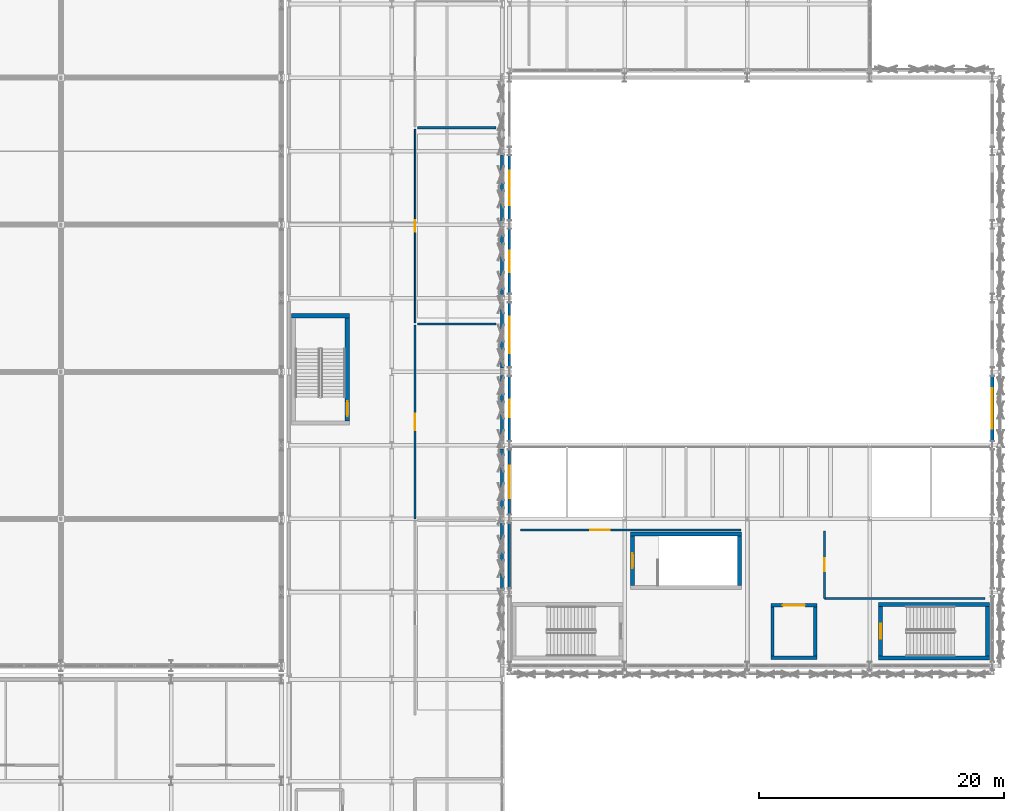
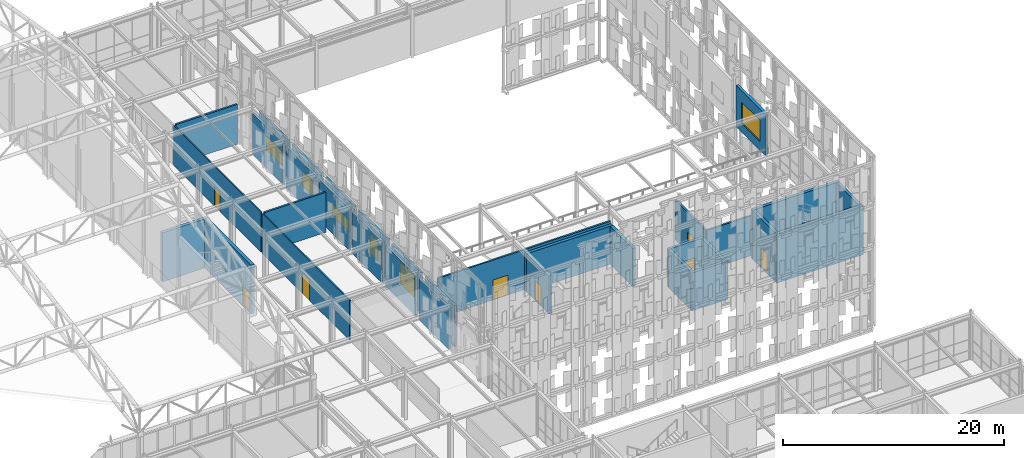
# One storey, part 205 of 239: 33 walls, 8 doors, 6 windows, 14 openings.
"""IFC4 building model written with IfcOpenShell, lengths in metres."""

from ifc_helpers import new_model, si_unit, direction, frame, frame_2d, origin, place, context, subcontext, project, spatial, rectangle, extrude, material, layer, layer_set, type_object, element, fill, save


model = new_model("IFC4")

# Units and contexts
model_context = context("Model", 3, precision=1e-05, world=origin(), true_north=direction((0.0, 1.0)))
body_context = subcontext(model_context, "Body", "Model", "MODEL_VIEW")
ifc_project = project(units=[si_unit("LENGTHUNIT", "METRE"), si_unit("AREAUNIT", "SQUARE_METRE"), si_unit("VOLUMEUNIT", "CUBIC_METRE"), si_unit("PLANEANGLEUNIT", "RADIAN"), si_unit("MASSUNIT", "GRAM", prefix="KILO")], contexts=[model_context])

# Site, building, storey
site_placement = place(None, origin())
site = spatial("IfcSite", under=ifc_project, at=site_placement, CompositionType="ELEMENT")
building_placement = place(site_placement, origin())
building = spatial("IfcBuilding", under=site, at=building_placement, Name="Kaldris Quays Convention Centre", CompositionType="ELEMENT")
storey_placement = place(building_placement, frame((0.0, 0.0, 11.39990234375)))
storey = spatial("IfcBuildingStorey", under=building, at=storey_placement, Name="L02", CompositionType="ELEMENT", Elevation=11.39990234375)

# Wall, opening, window
ifc_material_1 = material(Name="Precast concrete C40/50", Category="concrete")
ifc_layer_1 = layer(ifc_material_1, 0.2880859375)
ifc_layer_set_1 = layer_set([ifc_layer_1], Name="Precast concrete C40/50")
wall_type_1 = type_object("IfcWallType", Name="EXTERIOR WALL EW03", PredefinedType="STANDARD", material=ifc_layer_set_1)
wall_1_placement = place(storey_placement, frame((204.0, 74.345947265625, 0.0), z_axis=(0.0, 0.0, 1.0), x_axis=(0.0, 1.0, 0.0)))
wall_1 = element("IfcWall", 1, at=wall_1_placement, inside=storey, type_object=wall_type_1, Name="L02 Exterior Wall EW03 140", PredefinedType="STANDARD", context=body_context, shape_type="SweptSolid", body=[
    extrude(rectangle(XDim=5.30810546875, YDim=0.2880859375, at=frame_2d((2.654052734375, 0.0))), origin(), (0.0, 0.0, 1.0), 4.60009765625),
])
opening_1_placement = place(wall_1_placement, frame((1.00390625, 0.0, 1.0)))
opening_1 = element("IfcOpeningElement", 2, at=opening_1_placement, cuts=wall_1, Name="Opening WN24", PredefinedType="OPENING", context=body_context, shape_type="SweptSolid", body=[
    extrude(rectangle(XDim=3.300048828125, YDim=2.35009765625, at=frame_2d((1.64990234375, 1.175048828125))), frame((0.0, 0.154052734375, 0.0), z_axis=(0.0, -1.0, 0.0), x_axis=(1.0, 0.0, 0.0)), (0.0, 0.0, 1.0), 0.30810546875),
])
ifc_material_2 = material(Name="Triple low-E insulated glazing", Category="glass")
window_type_1 = type_object("IfcWindowType", Name="TRIPLE GLAZED WINDOW WN24", PartitioningType="SINGLE_PANEL", PredefinedType="WINDOW", material=ifc_material_2)
window_1_placement = place(opening_1_placement, origin())
window_1 = element("IfcWindow", 3, at=window_1_placement, inside=storey, type_object=window_type_1, Name="L02 Exterior Window WN24 49", OverallHeight=2.35009765625, OverallWidth=3.300048828125, PartitioningType="SINGLE_PANEL", PredefinedType="WINDOW", context=body_context, shape_type="SweptSolid", body=[
    extrude(rectangle(XDim=3.300048828125, YDim=2.35009765625, at=frame_2d((1.64990234375, 1.175048828125))), frame((0.0, 0.030029296875, 0.0), z_axis=(0.0, -1.0, 0.0), x_axis=(1.0, 0.0, 0.0)), (0.0, 0.0, 1.0), 0.06005859375),
])
fill(opening_1, window_1)

# Walls
ifc_material_3 = material(Name="Anodized aluminium insulated cassette", Category="aluminium")
ifc_layer_2 = layer(ifc_material_3, 0.221923828125)
ifc_layer_set_2 = layer_set([ifc_layer_2], Name="Anodized aluminium insulated cassette")
wall_type_2 = type_object("IfcWallType", Name="EXTERIOR WALL EW06", PredefinedType="STANDARD", material=ifc_layer_set_2)
for number, where, z_axis, x_axis, name in (
    (4, (164.0, 62.2958984375, 0.0), (0.0, 0.0, 1.0), (0.0, 1.0, 0.0), "L02 Exterior Wall EW06 309"),
    (5, (164.0, 68.2958984375, 0.0), (0.0, 0.0, 1.0), (0.0, 1.0, 0.0), "L02 Exterior Wall EW06 311"),
    (6, (164.0, 74.2958984375, 0.0), (0.0, 0.0, 1.0), (0.0, 1.0, 0.0), "L02 Exterior Wall EW06 313"),
    (7, (164.0, 80.2958984375, 0.0), (0.0, 0.0, 1.0), (0.0, 1.0, 0.0), "L02 Exterior Wall EW06 315"),
    (8, (164.0, 86.2958984375, 0.0), (0.0, 0.0, 1.0), (0.0, 1.0, 0.0), "L02 Exterior Wall EW06 317"),
    (9, (164.0, 92.2958984375, 0.0), (0.0, 0.0, 1.0), (0.0, 1.0, 0.0), "L02 Exterior Wall EW06 319"),
):
    element("IfcWall", number, at=place(storey_placement, frame(where, z_axis=z_axis, x_axis=x_axis)), inside=storey, type_object=wall_type_2, Name=name, PredefinedType="STANDARD", context=body_context, shape_type="SweptSolid", body=[
        extrude(rectangle(XDim=5.408203125, YDim=0.221923828125, at=frame_2d((2.7041015625, 0.0))), origin(), (0.0, 0.0, 1.0), 4.548095703125),
    ])
ifc_layer_3 = layer(ifc_material_3, 0.201904296875)
ifc_layer_set_3 = layer_set([ifc_layer_3], Name="Anodized aluminium insulated cassette")
wall_type_3 = type_object("IfcWallType", Name="EXTERIOR WALL EW07", PredefinedType="STANDARD", material=ifc_layer_set_3)
wall_2_placement = place(storey_placement, frame((164.60009765625, 62.345947265625, 0.0), z_axis=(0.0, 0.0, 1.0), x_axis=(0.0, 1.0, 0.0)))
element("IfcWall", 10, at=wall_2_placement, inside=storey, type_object=wall_type_3, Name="L02 Exterior Wall EW07 138", PredefinedType="STANDARD", context=body_context, shape_type="SweptSolid", body=[
    extrude(rectangle(XDim=5.30810546875, YDim=0.201904296875, at=frame_2d((2.654052734375, 0.0))), origin(), (0.0, 0.0, 1.0), 4.548095703125),
])

# Wall, opening, window
wall_3_placement = place(storey_placement, frame((164.60009765625, 68.345947265625, 0.0), z_axis=(0.0, 0.0, 1.0), x_axis=(0.0, 1.0, 0.0)))
wall_3 = element("IfcWall", 11, at=wall_3_placement, inside=storey, type_object=wall_type_3, Name="L02 Exterior Wall EW07 139", PredefinedType="STANDARD", context=body_context, shape_type="SweptSolid", body=[
    extrude(rectangle(XDim=5.30810546875, YDim=0.201904296875, at=frame_2d((2.654052734375, 0.0))), origin(), (0.0, 0.0, 1.0), 4.548095703125),
])
opening_2_placement = place(wall_3_placement, frame((1.3291015625, 0.0, 1.0)))
opening_2 = element("IfcOpeningElement", 12, at=opening_2_placement, cuts=wall_3, Name="Opening WN23", PredefinedType="OPENING", context=body_context, shape_type="SweptSolid", body=[
    extrude(rectangle(XDim=2.64990234375, YDim=2.35009765625, at=frame_2d((1.324951171875, 1.175048828125))), frame((0.0, 0.11083984375, 0.0), z_axis=(0.0, -1.0, 0.0), x_axis=(1.0, 0.0, 0.0)), (0.0, 0.0, 1.0), 0.221923828125),
])
window_type_2 = type_object("IfcWindowType", Name="TRIPLE GLAZED WINDOW WN23", PartitioningType="SINGLE_PANEL", PredefinedType="WINDOW", material=ifc_material_2)
window_2_placement = place(opening_2_placement, origin())
window_2 = element("IfcWindow", 13, at=window_2_placement, inside=storey, type_object=window_type_2, Name="L02 Exterior Window WN23 48", OverallHeight=2.35009765625, OverallWidth=2.64990234375, PartitioningType="SINGLE_PANEL", PredefinedType="WINDOW", context=body_context, shape_type="SweptSolid", body=[
    extrude(rectangle(XDim=2.64990234375, YDim=2.35009765625, at=frame_2d((1.324951171875, 1.175048828125))), frame((0.0, 0.030029296875, 0.0), z_axis=(0.0, -1.0, 0.0), x_axis=(1.0, 0.0, 0.0)), (0.0, 0.0, 1.0), 0.06005859375),
])
fill(opening_2, window_2)

wall_4_placement = place(storey_placement, frame((164.60009765625, 74.345947265625, 0.0), z_axis=(0.0, 0.0, 1.0), x_axis=(0.0, 1.0, 0.0)))
wall_4 = element("IfcWall", 14, at=wall_4_placement, inside=storey, type_object=wall_type_3, Name="L02 Exterior Wall EW07 141", PredefinedType="STANDARD", context=body_context, shape_type="SweptSolid", body=[
    extrude(rectangle(XDim=5.30810546875, YDim=0.201904296875, at=frame_2d((2.654052734375, 0.0))), origin(), (0.0, 0.0, 1.0), 4.60009765625),
])
opening_3_placement = place(wall_4_placement, frame((1.928955078125, 0.0, 1.0)))
opening_3 = element("IfcOpeningElement", 15, at=opening_3_placement, cuts=wall_4, Name="Opening WN25", PredefinedType="OPENING", context=body_context, shape_type="SweptSolid", body=[
    extrude(rectangle(XDim=1.449951171875, YDim=2.199951171875, at=frame_2d((0.72509765625, 1.10009765625))), frame((0.0, 0.11083984375, 0.0), z_axis=(0.0, -1.0, 0.0), x_axis=(1.0, 0.0, 0.0)), (0.0, 0.0, 1.0), 0.221923828125),
])
window_type_3 = type_object("IfcWindowType", Name="TRIPLE GLAZED WINDOW WN25", PartitioningType="SINGLE_PANEL", PredefinedType="WINDOW", material=ifc_material_2)
window_3_placement = place(opening_3_placement, origin())
window_3 = element("IfcWindow", 16, at=window_3_placement, inside=storey, type_object=window_type_3, Name="L02 Exterior Window WN25 50", OverallHeight=2.199951171875, OverallWidth=1.449951171875, PartitioningType="SINGLE_PANEL", PredefinedType="WINDOW", context=body_context, shape_type="SweptSolid", body=[
    extrude(rectangle(XDim=1.449951171875, YDim=2.199951171875, at=frame_2d((0.72509765625, 1.10009765625))), frame((0.0, 0.030029296875, 0.0), z_axis=(0.0, -1.0, 0.0), x_axis=(1.0, 0.0, 0.0)), (0.0, 0.0, 1.0), 0.06005859375),
])
fill(opening_3, window_3)

wall_5_placement = place(storey_placement, frame((164.60009765625, 80.345947265625, 0.0), z_axis=(0.0, 0.0, 1.0), x_axis=(0.0, 1.0, 0.0)))
wall_5 = element("IfcWall", 17, at=wall_5_placement, inside=storey, type_object=wall_type_3, Name="L02 Exterior Wall EW07 143", PredefinedType="STANDARD", context=body_context, shape_type="SweptSolid", body=[
    extrude(rectangle(XDim=5.30810546875, YDim=0.201904296875, at=frame_2d((2.654052734375, 0.0))), origin(), (0.0, 0.0, 1.0), 4.60009765625),
])
opening_4_placement = place(wall_5_placement, frame((1.178955078125, 0.0, 1.0)))
opening_4 = element("IfcOpeningElement", 18, at=opening_4_placement, cuts=wall_5, Name="Opening WN28", PredefinedType="OPENING", context=body_context, shape_type="SweptSolid", body=[
    extrude(rectangle(XDim=2.949951171875, YDim=1.35009765625, at=frame_2d((1.47509765625, 0.675048828125))), frame((0.0, 0.11083984375, 0.0), z_axis=(0.0, -1.0, 0.0), x_axis=(1.0, 0.0, 0.0)), (0.0, 0.0, 1.0), 0.221923828125),
])
window_type_4 = type_object("IfcWindowType", Name="TRIPLE GLAZED WINDOW WN28", PartitioningType="SINGLE_PANEL", PredefinedType="WINDOW", material=ifc_material_2)
window_4_placement = place(opening_4_placement, origin())
window_4 = element("IfcWindow", 19, at=window_4_placement, inside=storey, type_object=window_type_4, Name="L02 Exterior Window WN28 52", OverallHeight=1.35009765625, OverallWidth=2.949951171875, PartitioningType="SINGLE_PANEL", PredefinedType="WINDOW", context=body_context, shape_type="SweptSolid", body=[
    extrude(rectangle(XDim=2.949951171875, YDim=1.35009765625, at=frame_2d((1.47509765625, 0.675048828125))), frame((0.0, 0.030029296875, 0.0), z_axis=(0.0, -1.0, 0.0), x_axis=(1.0, 0.0, 0.0)), (0.0, 0.0, 1.0), 0.06005859375),
])
fill(opening_4, window_4)

wall_6_placement = place(storey_placement, frame((164.60009765625, 86.345947265625, 0.0), z_axis=(0.0, 0.0, 1.0), x_axis=(0.0, 1.0, 0.0)))
wall_6 = element("IfcWall", 20, at=wall_6_placement, inside=storey, type_object=wall_type_3, Name="L02 Exterior Wall EW07 145", PredefinedType="STANDARD", context=body_context, shape_type="SweptSolid", body=[
    extrude(rectangle(XDim=5.30810546875, YDim=0.201904296875, at=frame_2d((2.654052734375, 0.0))), origin(), (0.0, 0.0, 1.0), 4.60009765625),
])
opening_5_placement = place(wall_6_placement, frame((1.779052734375, 0.0, 1.0)))
opening_5 = element("IfcOpeningElement", 21, at=opening_5_placement, cuts=wall_6, Name="Opening WN30", PredefinedType="OPENING", context=body_context, shape_type="SweptSolid", body=[
    extrude(rectangle(XDim=1.75, YDim=1.699951171875, at=frame_2d((0.875, 0.85009765625))), frame((0.0, 0.11083984375, 0.0), z_axis=(0.0, -1.0, 0.0), x_axis=(1.0, 0.0, 0.0)), (0.0, 0.0, 1.0), 0.221923828125),
])
window_type_5 = type_object("IfcWindowType", Name="TRIPLE GLAZED WINDOW WN30", PartitioningType="SINGLE_PANEL", PredefinedType="WINDOW", material=ifc_material_2)
window_5_placement = place(opening_5_placement, origin())
window_5 = element("IfcWindow", 22, at=window_5_placement, inside=storey, type_object=window_type_5, Name="L02 Exterior Window WN30 54", OverallHeight=1.699951171875, OverallWidth=1.75, PartitioningType="SINGLE_PANEL", PredefinedType="WINDOW", context=body_context, shape_type="SweptSolid", body=[
    extrude(rectangle(XDim=1.75, YDim=1.699951171875, at=frame_2d((0.875, 0.85009765625))), frame((0.0, 0.030029296875, 0.0), z_axis=(0.0, -1.0, 0.0), x_axis=(1.0, 0.0, 0.0)), (0.0, 0.0, 1.0), 0.06005859375),
])
fill(opening_5, window_5)

wall_7_placement = place(storey_placement, frame((164.60009765625, 92.345947265625, 0.0), z_axis=(0.0, 0.0, 1.0), x_axis=(0.0, 1.0, 0.0)))
wall_7 = element("IfcWall", 23, at=wall_7_placement, inside=storey, type_object=wall_type_3, Name="L02 Exterior Wall EW07 147", PredefinedType="STANDARD", context=body_context, shape_type="SweptSolid", body=[
    extrude(rectangle(XDim=5.30810546875, YDim=0.201904296875, at=frame_2d((2.654052734375, 0.0))), origin(), (0.0, 0.0, 1.0), 4.60009765625),
])
opening_6_placement = place(wall_7_placement, frame((1.25390625, 0.0, 1.0)))
opening_6 = element("IfcOpeningElement", 24, at=opening_6_placement, cuts=wall_7, Name="Opening WN32", PredefinedType="OPENING", context=body_context, shape_type="SweptSolid", body=[
    extrude(rectangle(XDim=2.800048828125, YDim=1.60009765625, at=frame_2d((1.39990234375, 0.800048828125))), frame((0.0, 0.11083984375, 0.0), z_axis=(0.0, -1.0, 0.0), x_axis=(1.0, 0.0, 0.0)), (0.0, 0.0, 1.0), 0.221923828125),
])
window_type_6 = type_object("IfcWindowType", Name="TRIPLE GLAZED WINDOW WN32", PartitioningType="SINGLE_PANEL", PredefinedType="WINDOW", material=ifc_material_2)
window_6_placement = place(opening_6_placement, origin())
window_6 = element("IfcWindow", 25, at=window_6_placement, inside=storey, type_object=window_type_6, Name="L02 Exterior Window WN32 56", OverallHeight=1.60009765625, OverallWidth=2.800048828125, PartitioningType="SINGLE_PANEL", PredefinedType="WINDOW", context=body_context, shape_type="SweptSolid", body=[
    extrude(rectangle(XDim=2.800048828125, YDim=1.60009765625, at=frame_2d((1.39990234375, 0.800048828125))), frame((0.0, 0.030029296875, 0.0), z_axis=(0.0, -1.0, 0.0), x_axis=(1.0, 0.0, 0.0)), (0.0, 0.0, 1.0), 0.06005859375),
])
fill(opening_6, window_6)

# Wall, opening, door
ifc_material_4 = material(Name="Acoustic gypsum stud partition", Category="gypsum")
ifc_layer_4 = layer(ifc_material_4, 0.177978515625)
ifc_layer_set_4 = layer_set([ifc_layer_4], Name="Acoustic gypsum stud partition")
wall_type_4 = type_object("IfcWallType", Name="INTERIOR WALL IW02", PredefinedType="PARTITIONING", material=ifc_layer_set_4)
wall_8_placement = place(storey_placement, frame((165.5, 67.10009765625, 0.0), z_axis=(0.0, 0.0, 1.0), x_axis=(1.0, 0.0, 0.0)))
wall_8 = element("IfcWall", 26, at=wall_8_placement, inside=storey, type_object=wall_type_4, Name="L02 Interior Wall IW02 82", PredefinedType="PARTITIONING", context=body_context, shape_type="SweptSolid", body=[
    extrude(rectangle(XDim=18.0, YDim=0.177978515625, at=frame_2d((9.0, 0.0))), origin(), (0.0, 0.0, 1.0), 4.400146484375),
])
opening_7_placement = place(wall_8_placement, frame((5.699951171875, 0.0, 0.0)))
opening_7 = element("IfcOpeningElement", 27, at=opening_7_placement, cuts=wall_8, Name="Opening ID08", PredefinedType="OPENING", context=body_context, shape_type="SweptSolid", body=[
    extrude(rectangle(XDim=1.60009765625, YDim=2.199951171875, at=frame_2d((0.800048828125, 1.10009765625))), frame((0.0, 0.09912109375, 0.0), z_axis=(0.0, -1.0, 0.0), x_axis=(1.0, 0.0, 0.0)), (0.0, 0.0, 1.0), 0.197998046875),
])
ifc_material_5 = material(Name="Timber acoustic double door", Category="wood")
door_type_1 = type_object("IfcDoorType", Name="INTERIOR DOOR ID08", OperationType="DOUBLE_DOOR_SINGLE_SWING", PredefinedType="DOOR", material=ifc_material_5)
door_1_placement = place(opening_7_placement, frame((1.60009765625, 0.0, 0.0), z_axis=(0.0, 0.0, 1.0), x_axis=(-1.0, 0.0, 0.0)))
door_1 = element("IfcDoor", 28, at=door_1_placement, inside=storey, type_object=door_type_1, Name="L02 Interior Door ID08 55", OperationType="DOUBLE_DOOR_SINGLE_SWING", OverallHeight=2.199951171875, OverallWidth=1.60009765625, PredefinedType="DOOR", context=body_context, shape_type="SweptSolid", body=[
    extrude(rectangle(XDim=1.60009765625, YDim=2.199951171875, at=frame_2d((0.800048828125, 1.10009765625))), frame((0.0, 0.02490234375, 0.0), z_axis=(0.0, -1.0, 0.0), x_axis=(1.0, 0.0, 0.0)), (0.0, 0.0, 1.0), 0.050048828125),
])
fill(opening_7, door_1)

# Wall
wall_9_placement = place(storey_placement, frame((190.300048828125, 61.5, 0.0), z_axis=(0.0, 0.0, 1.0), x_axis=(1.0, 0.0, 0.0)))
element("IfcWall", 29, at=wall_9_placement, inside=storey, type_object=wall_type_4, Name="L02 Interior Wall IW02 83", PredefinedType="PARTITIONING", context=body_context, shape_type="SweptSolid", body=[
    extrude(rectangle(XDim=13.099853515625, YDim=0.177978515625, at=frame_2d((6.5498046875, 0.0))), origin(), (0.0, 0.0, 1.0), 4.400146484375),
])

# Wall, opening, door
wall_10_placement = place(storey_placement, frame((190.300048828125, 61.5, 0.0), z_axis=(0.0, 0.0, 1.0), x_axis=(0.0, 1.0, 0.0)))
wall_10 = element("IfcWall", 30, at=wall_10_placement, inside=storey, type_object=wall_type_4, Name="L02 Interior Wall IW02 84", PredefinedType="PARTITIONING", context=body_context, shape_type="SweptSolid", body=[
    extrude(rectangle(XDim=5.5, YDim=0.177978515625, at=frame_2d((2.75, 0.0))), origin(), (0.0, 0.0, 1.0), 4.400146484375),
])
opening_8_placement = place(wall_10_placement, frame((2.219970703125, 0.0, 0.0)))
opening_8 = element("IfcOpeningElement", 31, at=opening_8_placement, cuts=wall_10, Name="Opening ID05", PredefinedType="OPENING", context=body_context, shape_type="SweptSolid", body=[
    extrude(rectangle(XDim=1.06005859375, YDim=2.179931640625, at=frame_2d((0.530029296875, 1.08984375))), frame((0.0, 0.09912109375, 0.0), z_axis=(0.0, -1.0, 0.0), x_axis=(1.0, 0.0, 0.0)), (0.0, 0.0, 1.0), 0.197998046875),
])
ifc_material_6 = material(Name="Timber acoustic leaf in steel frame", Category="steel")
door_type_2 = type_object("IfcDoorType", Name="INTERIOR DOOR ID05", OperationType="NOTDEFINED", PredefinedType="DOOR", material=ifc_material_6)
door_2_placement = place(opening_8_placement, origin())
door_2 = element("IfcDoor", 32, at=door_2_placement, inside=storey, type_object=door_type_2, Name="L02 Interior Door ID05 56", OperationType="SINGLE_SWING_LEFT", OverallHeight=2.179931640625, OverallWidth=1.06005859375, PredefinedType="DOOR", context=body_context, shape_type="SweptSolid", body=[
    extrude(rectangle(XDim=1.06005859375, YDim=2.179931640625, at=frame_2d((0.530029296875, 1.08984375))), frame((0.0, 0.02490234375, 0.0), z_axis=(0.0, -1.0, 0.0), x_axis=(1.0, 0.0, 0.0)), (0.0, 0.0, 1.0), 0.050048828125),
])
fill(opening_8, door_2)

ifc_layer_5 = layer(ifc_material_4, 0.134033203125)
ifc_layer_set_5 = layer_set([ifc_layer_5], Name="Acoustic gypsum stud partition")
wall_type_5 = type_object("IfcWallType", Name="INTERIOR WALL IW05", PredefinedType="PARTITIONING", material=ifc_layer_set_5)
wall_11_placement = place(storey_placement, frame((156.89990234375, 68.0, 0.0), z_axis=(0.0, 0.0, 1.0), x_axis=(0.0, 1.0, 0.0)))
wall_11 = element("IfcWall", 33, at=wall_11_placement, inside=storey, type_object=wall_type_5, Name="L02 Interior Wall IW05 93", PredefinedType="PARTITIONING", context=body_context, shape_type="SweptSolid", body=[
    extrude(rectangle(XDim=15.800048828125, YDim=0.134033203125, at=frame_2d((7.89990234375, 0.0))), origin(), (0.0, 0.0, 1.0), 4.400146484375),
])
opening_9_placement = place(wall_11_placement, frame((7.219970703125, 0.0, 0.0)))
opening_9 = element("IfcOpeningElement", 34, at=opening_9_placement, cuts=wall_11, Name="Opening ID21", PredefinedType="OPENING", context=body_context, shape_type="SweptSolid", body=[
    extrude(rectangle(XDim=1.360107421875, YDim=2.300048828125, at=frame_2d((0.68017578125, 1.14990234375))), frame((0.0, 0.0771484375, 0.0), z_axis=(0.0, -1.0, 0.0), x_axis=(1.0, 0.0, 0.0)), (0.0, 0.0, 1.0), 0.154052734375),
])
ifc_material_7 = material(Name="Timber seminar room door", Category="wood")
door_type_3 = type_object("IfcDoorType", Name="INTERIOR DOOR ID21", OperationType="NOTDEFINED", PredefinedType="DOOR", material=ifc_material_7)
door_3_placement = place(opening_9_placement, origin())
door_3 = element("IfcDoor", 35, at=door_3_placement, inside=storey, type_object=door_type_3, Name="L02 Interior Door ID21 64", OperationType="SINGLE_SWING_LEFT", OverallHeight=2.300048828125, OverallWidth=1.360107421875, PredefinedType="DOOR", context=body_context, shape_type="SweptSolid", body=[
    extrude(rectangle(XDim=1.360107421875, YDim=2.300048828125, at=frame_2d((0.68017578125, 1.14990234375))), frame((0.0, 0.02490234375, 0.0), z_axis=(0.0, -1.0, 0.0), x_axis=(1.0, 0.0, 0.0)), (0.0, 0.0, 1.0), 0.050048828125),
])
fill(opening_9, door_3)

ifc_layer_6 = layer(ifc_material_4, 0.1201171875)
ifc_layer_set_6 = layer_set([ifc_layer_6], Name="Acoustic gypsum stud partition")
wall_type_6 = type_object("IfcWallType", Name="INTERIOR WALL IW06", PredefinedType="PARTITIONING", material=ifc_layer_set_6)
wall_12_placement = place(storey_placement, frame((156.89990234375, 84.0, 0.0), z_axis=(0.0, 0.0, 1.0), x_axis=(0.0, 1.0, 0.0)))
wall_12 = element("IfcWall", 36, at=wall_12_placement, inside=storey, type_object=wall_type_6, Name="L02 Interior Wall IW06 94", PredefinedType="PARTITIONING", context=body_context, shape_type="SweptSolid", body=[
    extrude(rectangle(XDim=15.800048828125, YDim=0.1201171875, at=frame_2d((7.89990234375, 0.0))), origin(), (0.0, 0.0, 1.0), 4.400146484375),
])
opening_10_placement = place(wall_12_placement, frame((7.429931640625, 0.0, 0.0)))
opening_10 = element("IfcOpeningElement", 37, at=opening_10_placement, cuts=wall_12, Name="Opening ID01", PredefinedType="OPENING", context=body_context, shape_type="SweptSolid", body=[
    extrude(rectangle(XDim=0.93994140625, YDim=2.1201171875, at=frame_2d((0.469970703125, 1.06005859375))), frame((0.0, 0.070068359375, 0.0), z_axis=(0.0, -1.0, 0.0), x_axis=(1.0, 0.0, 0.0)), (0.0, 0.0, 1.0), 0.14013671875),
])
door_type_4 = type_object("IfcDoorType", Name="INTERIOR DOOR ID01", OperationType="NOTDEFINED", PredefinedType="DOOR", material=ifc_material_6)
door_4_placement = place(opening_10_placement, origin())
door_4 = element("IfcDoor", 38, at=door_4_placement, inside=storey, type_object=door_type_4, Name="L02 Interior Door ID01 65", OperationType="SINGLE_SWING_RIGHT", OverallHeight=2.1201171875, OverallWidth=0.93994140625, PredefinedType="DOOR", context=body_context, shape_type="SweptSolid", body=[
    extrude(rectangle(XDim=0.93994140625, YDim=2.1201171875, at=frame_2d((0.469970703125, 1.06005859375))), frame((0.0, 0.02490234375, 0.0), z_axis=(0.0, -1.0, 0.0), x_axis=(1.0, 0.0, 0.0)), (0.0, 0.0, 1.0), 0.050048828125),
])
fill(opening_10, door_4)

# Walls
ifc_material_8 = material(Name="Steel S355J2 acoustic operable panel", Category="steel")
ifc_layer_7 = layer(ifc_material_8, 0.194091796875)
ifc_layer_set_7 = layer_set([ifc_layer_7], Name="Steel S355J2 acoustic operable panel")
wall_type_7 = type_object("IfcWallType", Name="INTERIOR WALL MW03", PredefinedType="MOVABLE", material=ifc_layer_set_7)
for number, where, z_axis, x_axis, name in (
    (39, (157.10009765625, 83.89990234375, 0.0), (0.0, 0.0, 1.0), (1.0, 0.0, 0.0), "L02 Interior Wall MW03 98"),
    (40, (157.10009765625, 99.89990234375, 0.0), (0.0, 0.0, 1.0), (1.0, 0.0, 0.0), "L02 Interior Wall MW03 99"),
):
    element("IfcWall", number, at=place(storey_placement, frame(where, z_axis=z_axis, x_axis=x_axis)), inside=storey, type_object=wall_type_7, Name=name, PredefinedType="MOVABLE", context=body_context, shape_type="SweptSolid", body=[
        extrude(rectangle(XDim=6.39990234375, YDim=0.194091796875, at=frame_2d((3.199951171875, 0.0))), origin(), (0.0, 0.0, 1.0), 4.400146484375),
    ])
ifc_material_9 = material(Name="Concrete C40/50", Category="concrete")
ifc_layer_8 = layer(ifc_material_9, 0.35009765625)
ifc_layer_set_8 = layer_set([ifc_layer_8], Name="Concrete C40/50")
wall_type_8 = type_object("IfcWallType", Name="STRUCTURAL WALL SW01", PredefinedType="SHEAR", material=ifc_layer_set_8)
wall_13_placement = place(storey_placement, frame((146.800048828125, 84.574951171875, 0.0), z_axis=(0.0, 0.0, 1.0), x_axis=(1.0, 0.0, 0.0)))
element("IfcWall", 41, at=wall_13_placement, inside=storey, type_object=wall_type_8, Name="L02 Core Shear Wall CORE-ST14-L02-N", PredefinedType="SHEAR", context=body_context, shape_type="SweptSolid", body=[
    extrude(rectangle(XDim=4.75, YDim=0.35009765625, at=frame_2d((2.375, 0.0))), origin(), (0.0, 0.0, 1.0), 5.400146484375),
])

# Wall, opening, door
wall_14_placement = place(storey_placement, frame((151.375, 76.0, 0.0), z_axis=(0.0, 0.0, 1.0), x_axis=(0.0, 1.0, 0.0)))
wall_14 = element("IfcWall", 42, at=wall_14_placement, inside=storey, type_object=wall_type_8, Name="L02 Core Shear Wall CORE-ST14-L02-E", PredefinedType="SHEAR", context=body_context, shape_type="SweptSolid", body=[
    extrude(rectangle(XDim=8.39990234375, YDim=0.35009765625, at=frame_2d((4.199951171875, 0.0))), origin(), (0.0, 0.0, 1.0), 5.400146484375),
])
opening_11_placement = place(wall_14_placement, frame((0.375, 0.0, 0.0)))
opening_11 = element("IfcOpeningElement", 43, at=opening_11_placement, cuts=wall_14, Name="Opening ID03", PredefinedType="OPENING", context=body_context, shape_type="SweptSolid", body=[
    extrude(rectangle(XDim=1.199951171875, YDim=2.199951171875, at=frame_2d((0.60009765625, 1.10009765625))), frame((0.0, 0.18505859375, 0.0), z_axis=(0.0, -1.0, 0.0), x_axis=(1.0, 0.0, 0.0)), (0.0, 0.0, 1.0), 0.3701171875),
])
ifc_material_10 = material(Name="Steel S355J2 fire-resisting door", Category="steel")
door_type_5 = type_object("IfcDoorType", Name="INTERIOR DOOR ID03", OperationType="NOTDEFINED", PredefinedType="DOOR", material=ifc_material_10)
door_5_placement = place(opening_11_placement, origin())
door_5 = element("IfcDoor", 44, at=door_5_placement, inside=storey, type_object=door_type_5, Name="L02 Escape Stair ST14 Fire Door", OperationType="SINGLE_SWING_RIGHT", OverallHeight=2.199951171875, OverallWidth=1.199951171875, PredefinedType="DOOR", context=body_context, shape_type="SweptSolid", body=[
    extrude(rectangle(XDim=1.199951171875, YDim=2.199951171875, at=frame_2d((0.60009765625, 1.10009765625))), frame((0.0, 0.02490234375, 0.0), z_axis=(0.0, -1.0, 0.0), x_axis=(1.0, 0.0, 0.0)), (0.0, 0.0, 1.0), 0.050048828125),
])
fill(opening_11, door_5)

# Walls
ifc_layer_9 = layer(ifc_material_9, 0.320068359375)
ifc_layer_set_9 = layer_set([ifc_layer_9], Name="Concrete C40/50")
wall_type_9 = type_object("IfcWallType", Name="STRUCTURAL WALL SW02", PredefinedType="SHEAR", material=ifc_layer_set_9)
for number, where, z_axis, x_axis, name in (
    (45, (194.72998046875, 56.639892578125, 0.0), (0.0, 0.0, 1.0), (1.0, 0.0, 0.0), "L02 Core Shear Wall CORE-ST09-L02-S"),
    (46, (194.72998046875, 61.010009765625, 0.0), (0.0, 0.0, 1.0), (1.0, 0.0, 0.0), "L02 Core Shear Wall CORE-ST09-L02-N"),
):
    element("IfcWall", number, at=place(storey_placement, frame(where, z_axis=z_axis, x_axis=x_axis)), inside=storey, type_object=wall_type_9, Name=name, PredefinedType="SHEAR", context=body_context, shape_type="SweptSolid", body=[
        extrude(rectangle(XDim=9.0400390625, YDim=0.320068359375, at=frame_2d((4.52001953125, 0.0))), origin(), (0.0, 0.0, 1.0), 5.400146484375),
    ])

# Wall, opening, door
wall_15_placement = place(storey_placement, frame((194.889892578125, 56.800048828125, 0.0), z_axis=(0.0, 0.0, 1.0), x_axis=(0.0, 1.0, 0.0)))
wall_15 = element("IfcWall", 47, at=wall_15_placement, inside=storey, type_object=wall_type_9, Name="L02 Core Shear Wall CORE-ST09-L02-W", PredefinedType="SHEAR", context=body_context, shape_type="SweptSolid", body=[
    extrude(rectangle(XDim=4.050048828125, YDim=0.320068359375, at=frame_2d((2.02490234375, 0.0))), origin(), (0.0, 0.0, 1.0), 5.400146484375),
])
opening_12_placement = place(wall_15_placement, frame((1.425048828125, 0.0, 0.0)))
opening_12 = element("IfcOpeningElement", 48, at=opening_12_placement, cuts=wall_15, Name="Opening ID03", PredefinedType="OPENING", context=body_context, shape_type="SweptSolid", body=[
    extrude(rectangle(XDim=1.199951171875, YDim=2.199951171875, at=frame_2d((0.60009765625, 1.10009765625))), frame((0.0, 0.169921875, 0.0), z_axis=(0.0, -1.0, 0.0), x_axis=(1.0, 0.0, 0.0)), (0.0, 0.0, 1.0), 0.340087890625),
])
door_6_placement = place(opening_12_placement, frame((1.199951171875, 0.0, 0.0), z_axis=(0.0, 0.0, 1.0), x_axis=(-1.0, 0.0, 0.0)))
door_6 = element("IfcDoor", 49, at=door_6_placement, inside=storey, type_object=door_type_5, Name="L02 Escape Stair ST09 Fire Door", OperationType="SINGLE_SWING_LEFT", OverallHeight=2.199951171875, OverallWidth=1.199951171875, PredefinedType="DOOR", context=body_context, shape_type="SweptSolid", body=[
    extrude(rectangle(XDim=1.199951171875, YDim=2.199951171875, at=frame_2d((0.60009765625, 1.10009765625))), frame((0.0, 0.02490234375, 0.0), z_axis=(0.0, -1.0, 0.0), x_axis=(1.0, 0.0, 0.0)), (0.0, 0.0, 1.0), 0.050048828125),
])
fill(opening_12, door_6)

# Walls
wall_16_placement = place(storey_placement, frame((203.610107421875, 56.800048828125, 0.0), z_axis=(0.0, 0.0, 1.0), x_axis=(0.0, 1.0, 0.0)))
element("IfcWall", 50, at=wall_16_placement, inside=storey, type_object=wall_type_9, Name="L02 Core Shear Wall CORE-ST09-L02-E", PredefinedType="SHEAR", context=body_context, shape_type="SweptSolid", body=[
    extrude(rectangle(XDim=4.050048828125, YDim=0.320068359375, at=frame_2d((2.02490234375, 0.0))), origin(), (0.0, 0.0, 1.0), 5.400146484375),
])
wall_17_placement = place(storey_placement, frame((174.47998046875, 66.760009765625, 0.0), z_axis=(0.0, 0.0, 1.0), x_axis=(1.0, 0.0, 0.0)))
element("IfcWall", 51, at=wall_17_placement, inside=storey, type_object=wall_type_9, Name="L02 Core Shear Wall CORE-ST10-L02-N", PredefinedType="SHEAR", context=body_context, shape_type="SweptSolid", body=[
    extrude(rectangle(XDim=9.0400390625, YDim=0.320068359375, at=frame_2d((4.52001953125, 0.0))), origin(), (0.0, 0.0, 1.0), 4.2001953125),
])

# Wall, opening, door
wall_18_placement = place(storey_placement, frame((174.639892578125, 62.550048828125, 0.0), z_axis=(0.0, 0.0, 1.0), x_axis=(0.0, 1.0, 0.0)))
wall_18 = element("IfcWall", 52, at=wall_18_placement, inside=storey, type_object=wall_type_9, Name="L02 Core Shear Wall CORE-ST10-L02-W", PredefinedType="SHEAR", context=body_context, shape_type="SweptSolid", body=[
    extrude(rectangle(XDim=4.050048828125, YDim=0.320068359375, at=frame_2d((2.02490234375, 0.0))), origin(), (0.0, 0.0, 1.0), 4.2001953125),
])
opening_13_placement = place(wall_18_placement, frame((1.425048828125, 0.0, 0.0)))
opening_13 = element("IfcOpeningElement", 53, at=opening_13_placement, cuts=wall_18, Name="Opening ID03", PredefinedType="OPENING", context=body_context, shape_type="SweptSolid", body=[
    extrude(rectangle(XDim=1.199951171875, YDim=2.199951171875, at=frame_2d((0.60009765625, 1.10009765625))), frame((0.0, 0.169921875, 0.0), z_axis=(0.0, -1.0, 0.0), x_axis=(1.0, 0.0, 0.0)), (0.0, 0.0, 1.0), 0.340087890625),
])
door_7_placement = place(opening_13_placement, frame((1.199951171875, 0.0, 0.0), z_axis=(0.0, 0.0, 1.0), x_axis=(-1.0, 0.0, 0.0)))
door_7 = element("IfcDoor", 54, at=door_7_placement, inside=storey, type_object=door_type_5, Name="L02 Escape Stair ST10 Fire Door", OperationType="SINGLE_SWING_RIGHT", OverallHeight=2.199951171875, OverallWidth=1.199951171875, PredefinedType="DOOR", context=body_context, shape_type="SweptSolid", body=[
    extrude(rectangle(XDim=1.199951171875, YDim=2.199951171875, at=frame_2d((0.60009765625, 1.10009765625))), frame((0.0, 0.02490234375, 0.0), z_axis=(0.0, -1.0, 0.0), x_axis=(1.0, 0.0, 0.0)), (0.0, 0.0, 1.0), 0.050048828125),
])
fill(opening_13, door_7)

# Walls
wall_19_placement = place(storey_placement, frame((183.360107421875, 62.550048828125, 0.0), z_axis=(0.0, 0.0, 1.0), x_axis=(0.0, 1.0, 0.0)))
element("IfcWall", 55, at=wall_19_placement, inside=storey, type_object=wall_type_9, Name="L02 Core Shear Wall CORE-ST10-L02-E", PredefinedType="SHEAR", context=body_context, shape_type="SweptSolid", body=[
    extrude(rectangle(XDim=4.050048828125, YDim=0.320068359375, at=frame_2d((2.02490234375, 0.0))), origin(), (0.0, 0.0, 1.0), 4.2001953125),
])
ifc_layer_10 = layer(ifc_material_9, 0.280029296875)
ifc_layer_set_10 = layer_set([ifc_layer_10], Name="Concrete C40/50")
wall_type_10 = type_object("IfcWallType", Name="STRUCTURAL WALL SW03", PredefinedType="SHEAR", material=ifc_layer_set_10)
wall_20_placement = place(storey_placement, frame((185.919921875, 56.659912109375, 0.0), z_axis=(0.0, 0.0, 1.0), x_axis=(1.0, 0.0, 0.0)))
element("IfcWall", 56, at=wall_20_placement, inside=storey, type_object=wall_type_10, Name="L02 Core Shear Wall LSHAFT-GL02-L02-S", PredefinedType="SHEAR", context=body_context, shape_type="SweptSolid", body=[
    extrude(rectangle(XDim=3.760009765625, YDim=0.280029296875, at=frame_2d((1.8798828125, 0.0))), origin(), (0.0, 0.0, 1.0), 4.2001953125),
])

# Wall, opening, door
wall_21_placement = place(storey_placement, frame((185.919921875, 60.93994140625, 0.0), z_axis=(0.0, 0.0, 1.0), x_axis=(1.0, 0.0, 0.0)))
wall_21 = element("IfcWall", 57, at=wall_21_placement, inside=storey, type_object=wall_type_10, Name="L02 Core Shear Wall LSHAFT-GL02-L02-N", PredefinedType="SHEAR", context=body_context, shape_type="SweptSolid", body=[
    extrude(rectangle(XDim=3.760009765625, YDim=0.280029296875, at=frame_2d((1.8798828125, 0.0))), origin(), (0.0, 0.0, 1.0), 4.2001953125),
])
opening_14_placement = place(wall_21_placement, frame((0.97998046875, 0.0, 0.0)))
opening_14 = element("IfcOpeningElement", 58, at=opening_14_placement, cuts=wall_21, Name="Opening LD02", PredefinedType="OPENING", context=body_context, shape_type="SweptSolid", body=[
    extrude(rectangle(XDim=1.800048828125, YDim=2.300048828125, at=frame_2d((0.89990234375, 1.14990234375))), frame((0.0, 0.14990234375, 0.0), z_axis=(0.0, -1.0, 0.0), x_axis=(1.0, 0.0, 0.0)), (0.0, 0.0, 1.0), 0.300048828125),
])
ifc_material_11 = material(Name="Stainless steel 1.4301 freight lift landing door", Category="steel")
door_type_6 = type_object("IfcDoorType", Name="INTERIOR DOOR LD02", OperationType="DOUBLE_DOOR_SLIDING", PredefinedType="DOOR", material=ifc_material_11)
door_8_placement = place(opening_14_placement, origin())
door_8 = element("IfcDoor", 59, at=door_8_placement, inside=storey, type_object=door_type_6, Name="L02 GL02 Sliding Lift Landing Door", OperationType="DOUBLE_DOOR_SLIDING", OverallHeight=2.300048828125, OverallWidth=1.800048828125, PredefinedType="DOOR", context=body_context, shape_type="SweptSolid", body=[
    extrude(rectangle(XDim=1.800048828125, YDim=2.300048828125, at=frame_2d((0.89990234375, 1.14990234375))), frame((0.0, 0.02490234375, 0.0), z_axis=(0.0, -1.0, 0.0), x_axis=(1.0, 0.0, 0.0)), (0.0, 0.0, 1.0), 0.050048828125),
])
fill(opening_14, door_8)

# Walls
for number, where, z_axis, x_axis, name in (
    (60, (186.06005859375, 56.800048828125, 0.0), (0.0, 0.0, 1.0), (0.0, 1.0, 0.0), "L02 Core Shear Wall LSHAFT-GL02-L02-W"),
    (61, (189.5400390625, 56.800048828125, 0.0), (0.0, 0.0, 1.0), (0.0, 1.0, 0.0), "L02 Core Shear Wall LSHAFT-GL02-L02-E"),
):
    element("IfcWall", number, at=place(storey_placement, frame(where, z_axis=z_axis, x_axis=x_axis)), inside=storey, type_object=wall_type_10, Name=name, PredefinedType="SHEAR", context=body_context, shape_type="SweptSolid", body=[
        extrude(rectangle(XDim=4.0, YDim=0.280029296875, at=frame_2d((2.0, 0.0))), origin(), (0.0, 0.0, 1.0), 4.2001953125),
    ])

save(model, "model.ifc")
